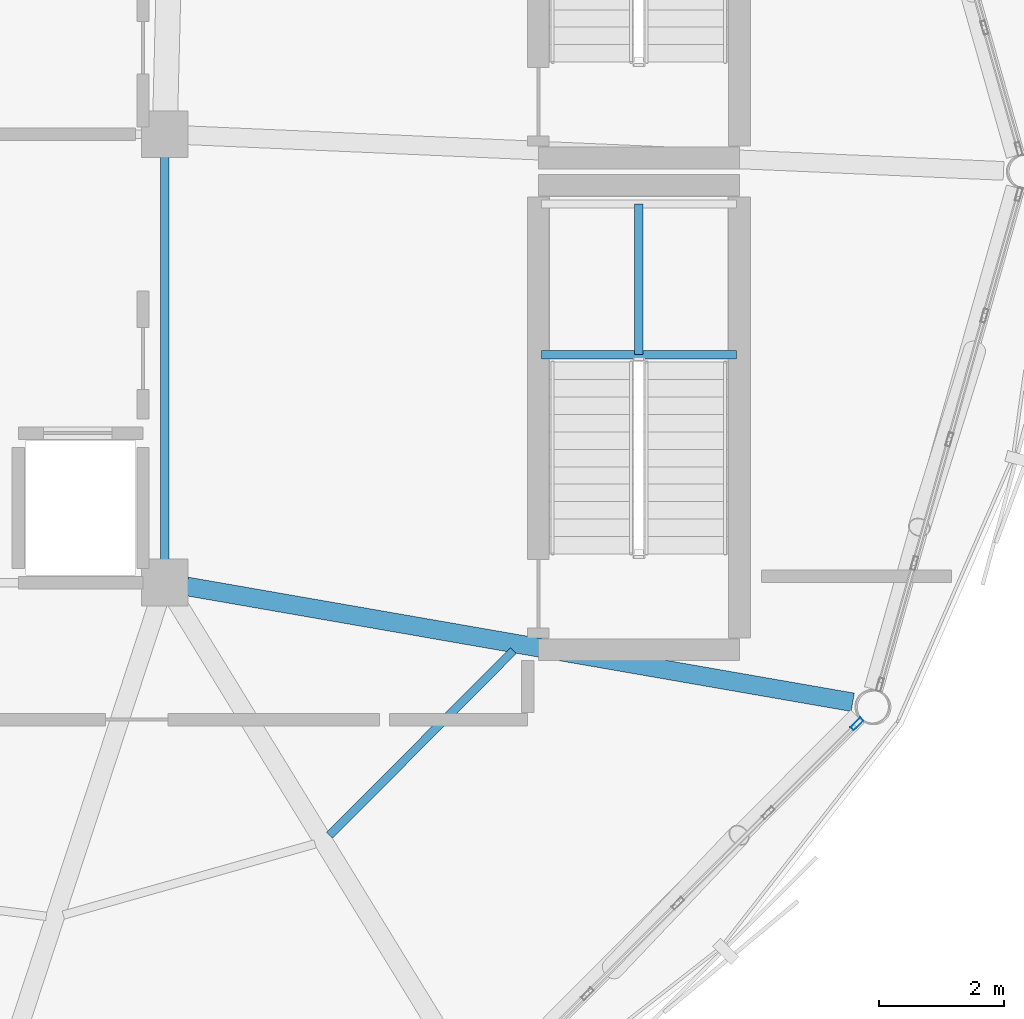
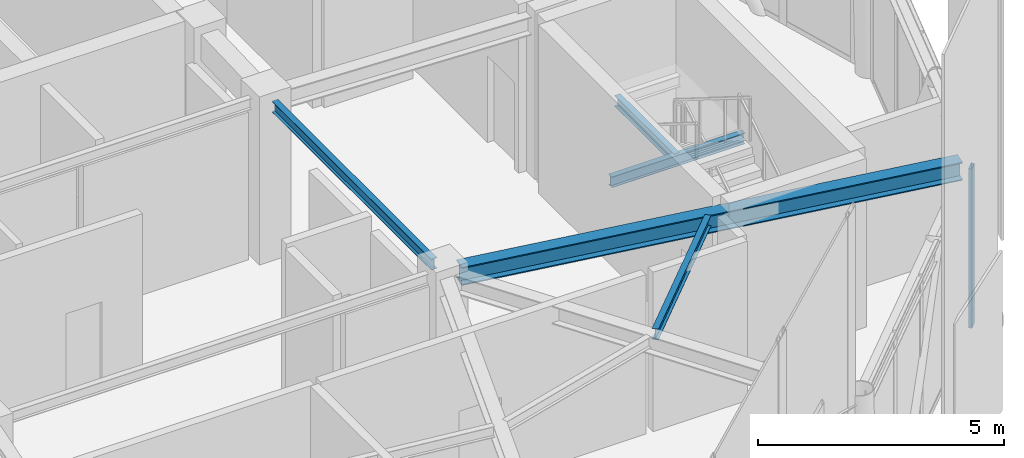
# One storey, part 6 of 20: 5 beams, 1 member, 1 element without a shape of its own.
"""IFC4 building model written with IfcOpenShell, lengths in metres."""

from ifc_helpers import new_model, si_unit, direction, frame, origin, origin_2d, place, context, subcontext, project, spatial, hollow_rectangle, i_section, extrude, material, layer, layer_set, material_profile, profile_set, type_object, element, aggregate, save


model = new_model("IFC4")

# Units and contexts
model_context = context("Model", 3, precision=1e-05, world=origin(), true_north=direction((0.0, 1.0)))
body_context = subcontext(model_context, "Body", "Model", "MODEL_VIEW")
ifc_project = project(units=[si_unit("LENGTHUNIT", "METRE"), si_unit("AREAUNIT", "SQUARE_METRE"), si_unit("VOLUMEUNIT", "CUBIC_METRE"), si_unit("PLANEANGLEUNIT", "RADIAN"), si_unit("MASSUNIT", "GRAM", prefix="KILO")], contexts=[model_context])

# Site, building, storey
site_placement = place(None, origin())
site = spatial("IfcSite", under=ifc_project, at=site_placement, CompositionType="ELEMENT")
building_placement = place(site_placement, origin())
building = spatial("IfcBuilding", under=site, at=building_placement, Name="Varnakorn Sky Granary", CompositionType="ELEMENT")
storey_placement = place(building_placement, frame((0.0, 0.0, 310.800048828125)))
storey = spatial("IfcBuildingStorey", under=building, at=storey_placement, Name="L79", CompositionType="ELEMENT", Elevation=310.800048828125)

# Beams
ifc_material_1 = material(Name="Steel S355JR", Category="steel")
ifc_material_profile_1 = material_profile(ifc_material_1, i_section(OverallWidth=0.135009765625, OverallDepth=0.27001953125, WebThickness=0.006591796875, FlangeThickness=0.01025390625, at=origin_2d()), Name="IPE 270")
ifc_profile_set_1 = profile_set([ifc_material_profile_1], Name="Steel S355JR")
beam_type_1 = type_object("IfcBeamType", Name="BM-LND-270", PredefinedType="BEAM", material=ifc_profile_set_1)
beam_1_placement = place(storey_placement, frame((14.39990234375, -2.93994140625, 1.764892578125), z_axis=(1.0, 0.0, 0.0), x_axis=(0.0, 1.0, 0.0)))
element("IfcBeam", 1, at=beam_1_placement, inside=storey, type_object=beam_type_1, Name="Stair ST-C2 Landing Trimmer Beam A L79-1", PredefinedType="BEAM", context=body_context, shape_type="SweptSolid", body=[
    extrude(i_section(OverallWidth=0.135009765625, OverallDepth=0.27001953125, WebThickness=0.006591796875, FlangeThickness=0.01025390625, at=origin_2d()), origin(), (0.0, 0.0, 1.0), 3.130126953125),
])
beam_2_placement = place(storey_placement, frame((15.965087890625, -2.93994140625, 1.764892578125), z_axis=(0.0, 1.0, 0.0), x_axis=(-1.0, 0.0, 0.0)))
element("IfcBeam", 2, at=beam_2_placement, inside=storey, type_object=beam_type_1, Name="Stair ST-C2 Landing Cross Beam C L79-1", PredefinedType="BEAM", context=body_context, shape_type="SweptSolid", body=[
    extrude(i_section(OverallWidth=0.135009765625, OverallDepth=0.27001953125, WebThickness=0.006591796875, FlangeThickness=0.01025390625, at=origin_2d()), origin(), (0.0, 0.0, 1.0), 2.419921875),
])
ifc_material_profile_2 = material_profile(ifc_material_1, i_section(OverallWidth=0.300048828125, OverallDepth=0.449951171875, WebThickness=0.013916015625, FlangeThickness=0.02587890625, at=origin_2d()), Name="HE 450 B")
ifc_profile_set_2 = profile_set([ifc_material_profile_2], Name="Steel S355JR")
beam_type_2 = type_object("IfcBeamType", Name="BM-RAD-Z5", PredefinedType="BEAM", material=ifc_profile_set_2)
beam_3_placement = place(storey_placement, frame((8.69970703125, -6.660888671875, 3.73486328125), z_axis=(0.985196241839, -0.171430350483, 0.0), x_axis=(0.171430350483, 0.985196241839, 0.0)))
element("IfcBeam", 3, at=beam_3_placement, inside=storey, type_object=beam_type_2, Name="Radial Floor Girder RG12 L79", PredefinedType="BEAM", context=body_context, shape_type="SweptSolid", body=[
    extrude(i_section(OverallWidth=0.300048828125, OverallDepth=0.449951171875, WebThickness=0.013916015625, FlangeThickness=0.02587890625, at=origin_2d()), origin(), (0.0, 0.0, 1.0), 10.860595703125),
])
ifc_material_profile_3 = material_profile(ifc_material_1, i_section(OverallWidth=0.135009765625, OverallDepth=0.27001953125, WebThickness=0.006591796875, FlangeThickness=0.01025390625, at=origin_2d()), Name="IPE 270")
ifc_profile_set_3 = profile_set([ifc_material_profile_3], Name="Steel S355JR")
beam_type_3 = type_object("IfcBeamType", Name="BM-SEC-Z5", PredefinedType="BEAM", material=ifc_profile_set_3)
beam_4_placement = place(storey_placement, frame((10.99755859375, -10.659423828125, 3.824951171875), z_axis=(0.705296914305, 0.708912027457, 0.0), x_axis=(-0.708912027457, 0.705296914305, 0.0)))
element("IfcBeam", 4, at=beam_4_placement, inside=storey, type_object=beam_type_3, Name="Secondary Floor Chord Beam MSB11 L79", PredefinedType="BEAM", context=body_context, shape_type="SweptSolid", body=[
    extrude(i_section(OverallWidth=0.135009765625, OverallDepth=0.27001953125, WebThickness=0.006591796875, FlangeThickness=0.01025390625, at=origin_2d()), origin(), (0.0, 0.0, 1.0), 4.18701171875),
])
beam_5_placement = place(storey_placement, frame((8.35009765625, 0.2451171875, 3.824951171875), z_axis=(0.0, -1.0, 0.0), x_axis=(1.0, 0.0, 0.0)))
element("IfcBeam", 5, at=beam_5_placement, inside=storey, type_object=beam_type_3, Name="Core Spine Framing Beam 4 L79", PredefinedType="BEAM", context=body_context, shape_type="SweptSolid", body=[
    extrude(i_section(OverallWidth=0.135009765625, OverallDepth=0.27001953125, WebThickness=0.006591796875, FlangeThickness=0.01025390625, at=origin_2d()), origin(), (0.0, 0.0, 1.0), 6.490234375),
])

# Curtain wall, member
ifc_material_2 = material(Name="Anodised Bronze Aluminium Alloy 6063-T6", Category="aluminium")
ifc_layer = layer(ifc_material_2, 0.22998046875, Name="Anodised Bronze Aluminium Alloy 6063-T6")
ifc_layer_set = layer_set([ifc_layer], Name="Anodised Bronze Aluminium Alloy 6063-T6")
curtain_wall_type = type_object("IfcCurtainWallType", Name="CW-LNT-1", PredefinedType="USERDEFINED", material=ifc_layer_set)
curtain_wall_placement = place(storey_placement, origin())
curtain_wall = element("IfcCurtainWall", 6, at=curtain_wall_placement, inside=storey, type_object=curtain_wall_type, Name="Unitised Curtain Wall CW7 CW-L79-B11", ObjectType="CURTAIN WALL", PredefinedType="USERDEFINED")
ifc_material_profile_4 = material_profile(ifc_material_2, hollow_rectangle(XDim=0.074951171875, YDim=0.219970703125, WallThickness=0.00390625, at=origin_2d()), Name="ALU MULL 75x220")
ifc_profile_set_4 = profile_set([ifc_material_profile_4], Name="Anodised Bronze Aluminium Alloy 6063-T6")
member_type = type_object("IfcMemberType", Name="CW-LNT-1-MULL", PredefinedType="MULLION", material=ifc_profile_set_4)
member_placement = place(storey_placement, frame((19.467041015625, -8.870849609375, 0.0), z_axis=(0.0, 0.0, 1.0), x_axis=(0.707562678959, -0.706650589291, 0.0)))
member = element("IfcMember", 7, at=member_placement, type_object=member_type, Name="CW7 mullion 1", PredefinedType="MULLION", context=body_context, shape_type="SweptSolid", body=[
    extrude(hollow_rectangle(XDim=0.074951171875, YDim=0.219970703125, WallThickness=0.00390625, at=origin_2d()), origin(), (0.0, 0.0, 1.0), 3.9599609375),
])
aggregate(curtain_wall, [member])

save(model, "model.ifc")
